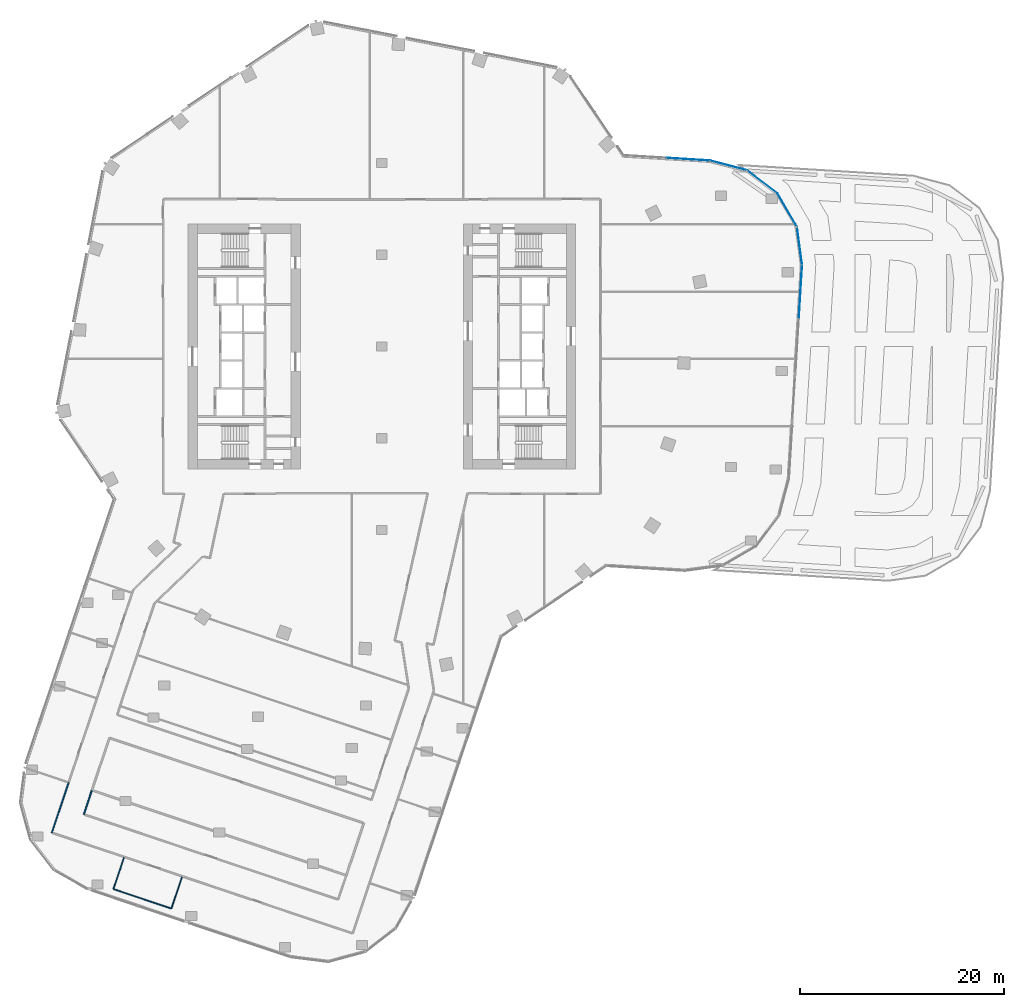
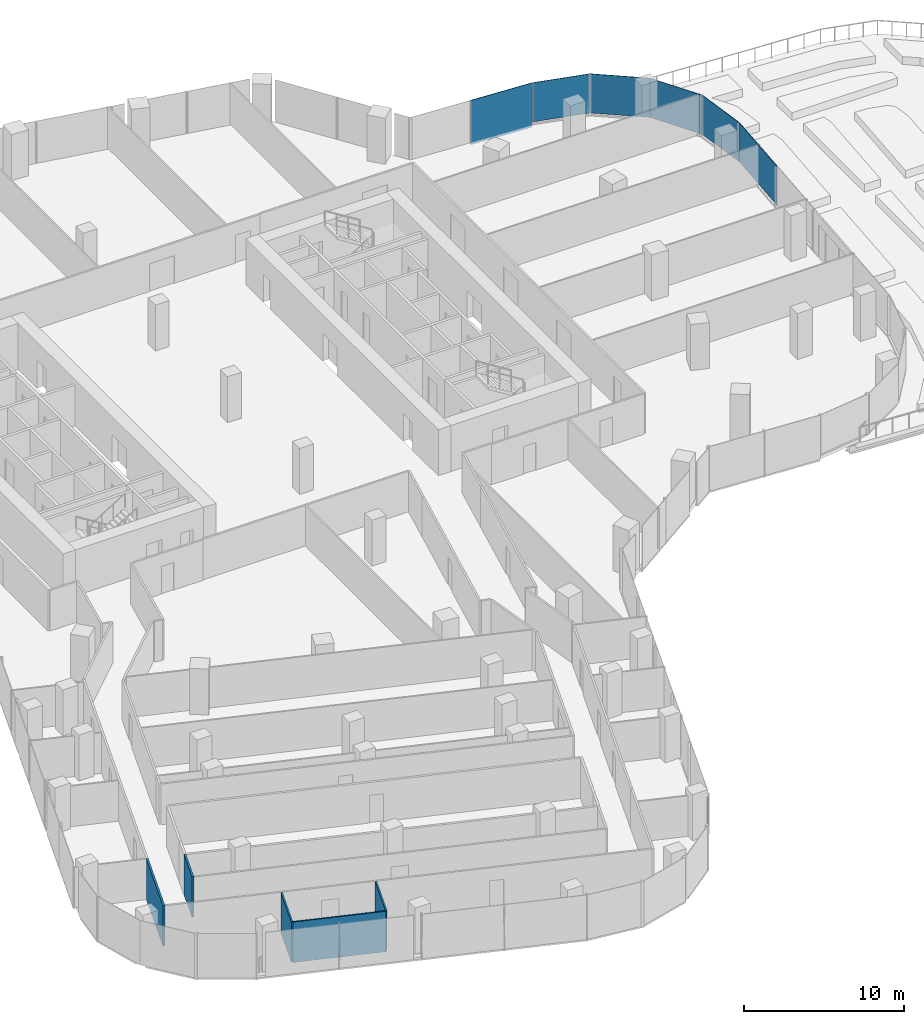
# One storey, part 18 of 26: 6 plates, 5 walls, 6 elements without a shape of their own.
"""IFC4 building model written with IfcOpenShell, lengths in metres."""

from ifc_helpers import new_model, si_unit, direction, frame, frame_2d, origin, origin_2d, place, context, subcontext, project, spatial, rectangle, extrude, material, layer, layer_set, type_object, element, aggregate, save


model = new_model("IFC4")

# Units and contexts
model_context = context("Model", 3, precision=1e-05, world=origin(), true_north=direction((0.0, 1.0)))
body_context = subcontext(model_context, "Body", "Model", "MODEL_VIEW")
ifc_project = project(units=[si_unit("LENGTHUNIT", "METRE"), si_unit("AREAUNIT", "SQUARE_METRE"), si_unit("VOLUMEUNIT", "CUBIC_METRE"), si_unit("PLANEANGLEUNIT", "RADIAN"), si_unit("MASSUNIT", "GRAM", prefix="KILO")], contexts=[model_context])

# Site, building, storey
site_placement = place(None, origin())
site = spatial("IfcSite", under=ifc_project, at=site_placement, CompositionType="ELEMENT")
building_placement = place(site_placement, origin())
building = spatial("IfcBuilding", under=site, at=building_placement, Name="Orlundy Tower", CompositionType="ELEMENT")
storey_placement = place(building_placement, frame((0.0, 0.0, 156.10009765625)))
storey = spatial("IfcBuildingStorey", under=building, at=storey_placement, Name="L40", CompositionType="ELEMENT", Elevation=156.10009765625)

# Curtain wall, plate
ifc_material_1 = material(Name="Aluminium bronze anodised", Category="aluminium")
curtain_wall_type = type_object("IfcCurtainWallType", Name="CW1 wall", PredefinedType="NOTDEFINED", material=ifc_material_1)
curtain_wall_1_placement = place(storey_placement, origin())
curtain_wall_1 = element("IfcCurtainWall", 1, at=curtain_wall_1_placement, inside=storey, type_object=curtain_wall_type, Name="CW1 run 06", PredefinedType="NOTDEFINED")
ifc_material_2 = material(Name="Tinted glass", Category="glass")
ifc_layer_1 = layer(ifc_material_2, 0.031982421875)
ifc_layer_set_1 = layer_set([ifc_layer_1], Name="CW1 glass panel 32")
plate_type = type_object("IfcPlateType", Name="CW1 glass panel 32", PredefinedType="CURTAIN_PANEL", material=ifc_layer_set_1)
plate_1_placement = place(storey_placement, frame((30.052001953125, 18.363525390625, -0.280029296875), z_axis=(0.0, 0.0, 1.0), x_axis=(0.998133804651, -0.061064785376, 0.0)))
plate_1 = element("IfcPlate", 2, at=plate_1_placement, type_object=plate_type, Name="CW1 panel", PredefinedType="CURTAIN_PANEL", context=body_context, shape_type="SweptSolid", body=[
    extrude(rectangle(XDim=4.23193359375, YDim=0.031982421875, at=origin_2d()), origin(), (0.0, 0.0, 1.0), 3.3798828125),
])
aggregate(curtain_wall_1, [plate_1])

curtain_wall_2_placement = place(storey_placement, origin())
curtain_wall_2 = element("IfcCurtainWall", 3, at=curtain_wall_2_placement, inside=storey, type_object=curtain_wall_type, Name="CW1 run 07", PredefinedType="NOTDEFINED")
plate_2_placement = place(storey_placement, frame((34.017333984375, 17.751220703125, 0.119873046875), z_axis=(0.0, 0.0, 1.0), x_axis=(0.967036091053, -0.254639350065, 0.0)))
plate_2 = element("IfcPlate", 4, at=plate_2_placement, type_object=plate_type, Name="CW1 panel", PredefinedType="CURTAIN_PANEL", context=body_context, shape_type="SweptSolid", body=[
    extrude(rectangle(XDim=3.73095703125, YDim=0.031982421875, at=origin_2d()), origin(), (0.0, 0.0, 1.0), 2.97998046875),
])
aggregate(curtain_wall_2, [plate_2])

curtain_wall_3_placement = place(storey_placement, origin())
curtain_wall_3 = element("IfcCurtainWall", 5, at=curtain_wall_3_placement, inside=storey, type_object=curtain_wall_type, Name="CW1 run 08", PredefinedType="NOTDEFINED")
plate_3_placement = place(storey_placement, frame((37.322265625, 16.135009765625, 0.119873046875), z_axis=(0.0, 0.0, 1.0), x_axis=(0.796032181149, -0.605254299097, 0.0)))
plate_3 = element("IfcPlate", 6, at=plate_3_placement, type_object=plate_type, Name="CW1 panel", PredefinedType="CURTAIN_PANEL", context=body_context, shape_type="SweptSolid", body=[
    extrude(rectangle(XDim=3.77099609375, YDim=0.031982421875, at=origin_2d()), origin(), (0.0, 0.0, 1.0), 2.97998046875),
])
aggregate(curtain_wall_3, [plate_3])

curtain_wall_4_placement = place(storey_placement, origin())
curtain_wall_4 = element("IfcCurtainWall", 7, at=curtain_wall_4_placement, inside=storey, type_object=curtain_wall_type, Name="CW1 run 09", PredefinedType="NOTDEFINED")
plate_4_placement = place(storey_placement, frame((39.773681640625, 13.364501953125, 0.119873046875), z_axis=(0.0, 0.0, 1.0), x_axis=(0.503904569951, -0.863759332443, 0.0)))
plate_4 = element("IfcPlate", 8, at=plate_4_placement, type_object=plate_type, Name="CW1 panel", PredefinedType="CURTAIN_PANEL", context=body_context, shape_type="SweptSolid", body=[
    extrude(rectangle(XDim=3.772216796875, YDim=0.031982421875, at=origin_2d()), origin(), (0.0, 0.0, 1.0), 2.97998046875),
])
aggregate(curtain_wall_4, [plate_4])

curtain_wall_5_placement = place(storey_placement, origin())
curtain_wall_5 = element("IfcCurtainWall", 9, at=curtain_wall_5_placement, inside=storey, type_object=curtain_wall_type, Name="CW1 run 010", PredefinedType="NOTDEFINED")
plate_5_placement = place(storey_placement, frame((40.97509765625, 9.88720703125, 0.119873046875), z_axis=(0.0, 0.0, 1.0), x_axis=(0.134619596829, -0.990897352983, 0.0)))
plate_5 = element("IfcPlate", 10, at=plate_5_placement, type_object=plate_type, Name="CW1 panel", PredefinedType="CURTAIN_PANEL", context=body_context, shape_type="SweptSolid", body=[
    extrude(rectangle(XDim=3.73046875, YDim=0.031982421875, at=origin_2d()), origin(), (0.0, 0.0, 1.0), 2.97998046875),
])
aggregate(curtain_wall_5, [plate_5])

curtain_wall_6_placement = place(storey_placement, origin())
curtain_wall_6 = element("IfcCurtainWall", 11, at=curtain_wall_6_placement, inside=storey, type_object=curtain_wall_type, Name="CW1 run 011", PredefinedType="NOTDEFINED")
plate_6_placement = place(storey_placement, frame((41.06884765625, 5.3857421875, 0.119873046875), z_axis=(0.0, 0.0, 1.0), x_axis=(-0.061047131434, -0.998134884544, 0.0)))
plate_6 = element("IfcPlate", 12, at=plate_6_placement, type_object=plate_type, Name="CW1 panel", PredefinedType="CURTAIN_PANEL", context=body_context, shape_type="SweptSolid", body=[
    extrude(rectangle(XDim=5.216064453125, YDim=0.031982421875, at=origin_2d()), origin(), (0.0, 0.0, 1.0), 2.97998046875),
])
aggregate(curtain_wall_6, [plate_6])

# Walls
ifc_material_3 = material(Name="Gypsum board partition")
ifc_layer_2 = layer(ifc_material_3, 0.10009765625)
ifc_layer_set_2 = layer_set([ifc_layer_2], Name="Floor partition 100")
wall_type_1 = type_object("IfcWallType", Name="Floor partition 100", PredefinedType="PARTITIONING", material=ifc_layer_set_2)
wall_1_placement = place(storey_placement, frame((-26.281005859375, -53.2451171875, 0.0), z_axis=(0.0, 0.0, 1.0), x_axis=(0.948351779966, -0.317220587976, 0.0)))
element("IfcWall", 13, at=wall_1_placement, inside=storey, type_object=wall_type_1, Name="wall-int-L40-003", PredefinedType="PARTITIONING", context=body_context, shape_type="SweptSolid", body=[
    extrude(rectangle(XDim=5.900634765625, YDim=0.10009765625, at=frame_2d((2.9501953125, 0.0))), origin(), (0.0, 0.0, 1.0), 3.079833984375),
])
wall_2_placement = place(storey_placement, frame((-20.636962890625, -55.132080078125, 0.0), z_axis=(0.0, 0.0, 1.0), x_axis=(0.316922325985, 0.948451495487, 0.0)))
element("IfcWall", 14, at=wall_2_placement, inside=storey, type_object=wall_type_1, Name="wall-int-L40-047", PredefinedType="PARTITIONING", context=body_context, shape_type="SweptSolid", body=[
    extrude(rectangle(XDim=3.2685546875, YDim=0.10009765625, at=frame_2d((1.63427734375, 0.0))), origin(), (0.0, 0.0, 1.0), 3.079833984375),
])
wall_3_placement = place(storey_placement, frame((-26.327880859375, -53.22802734375, 0.0), z_axis=(0.0, 0.0, 1.0), x_axis=(0.317191051156, 0.948361659425, 0.0)))
element("IfcWall", 15, at=wall_3_placement, inside=storey, type_object=wall_type_1, Name="wall-int-L40-048", PredefinedType="PARTITIONING", context=body_context, shape_type="SweptSolid", body=[
    extrude(rectangle(XDim=3.268798828125, YDim=0.10009765625, at=frame_2d((1.63427734375, 0.0))), origin(), (0.0, 0.0, 1.0), 3.079833984375),
])
ifc_material_4 = material(Name="Gypsum board partition, double layer")
ifc_layer_3 = layer(ifc_material_4, 0.125)
ifc_layer_set_3 = layer_set([ifc_layer_3], Name="Floor partition 125")
wall_type_2 = type_object("IfcWallType", Name="Floor partition 125", PredefinedType="PARTITIONING", material=ifc_layer_set_3)
wall_4_placement = place(storey_placement, frame((-29.22998046875, -45.89697265625, 0.0), z_axis=(0.0, 0.0, 1.0), x_axis=(0.317165045262, 0.948370357015, 0.0)))
element("IfcWall", 16, at=wall_4_placement, inside=storey, type_object=wall_type_2, Name="wall-int-L40-052", PredefinedType="PARTITIONING", context=body_context, shape_type="SweptSolid", body=[
    extrude(rectangle(XDim=2.500244140625, YDim=0.125, at=frame_2d((1.25, 0.0))), origin(), (0.0, 0.0, 1.0), 3.079833984375),
])
wall_5_placement = place(storey_placement, frame((-30.715087890625, -42.764892578125, 0.0), z_axis=(0.0, 0.0, 1.0), x_axis=(-0.31696020199, -0.948438838489, 0.0)))
element("IfcWall", 17, at=wall_5_placement, inside=storey, type_object=wall_type_2, Name="wall-int-L40-055", PredefinedType="PARTITIONING", context=body_context, shape_type="SweptSolid", body=[
    extrude(rectangle(XDim=5.19921875, YDim=0.125, at=frame_2d((2.599609375, 0.0))), origin(), (0.0, 0.0, 1.0), 3.079833984375),
])

save(model, "model.ifc")
